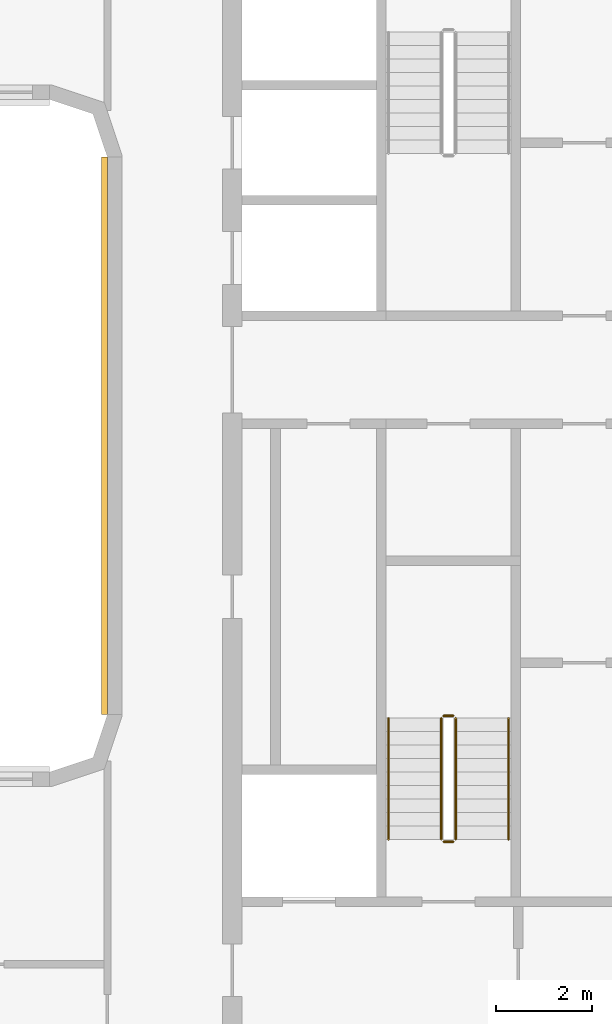
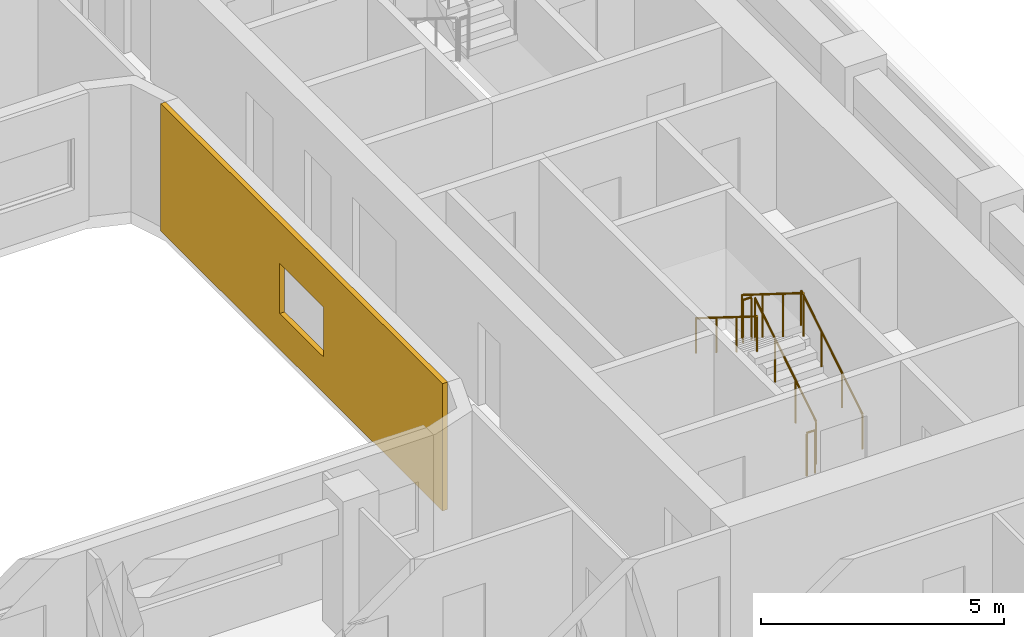
# One storey, part 17 of 22: 6 railings, 1 covering.
"""IFC4 building model written with IfcOpenShell, lengths in metres."""

import ifcopenshell
import ifcopenshell.guid

model = None  # the IFC model being written
_history = None  # IfcOwnerHistory: only IFC2X3 demands one
_inside = {}  # id of a spatial element -> (the spatial element, [elements in it])
_under = {}  # id of a project, library or spatial element -> (it, [spatial elements below it])
_declared = {}  # id of a project -> (the project, [libraries it declares])
_typed = {}  # id of a type object -> (the type object, [elements of that type])
_made_of = {}  # id of a material, layer set ... -> (it, [elements and type objects made of it])


def new_model(schema):
    """Start an empty IFC model of exactly this schema.

    Asked for "IFC4X3", IfcOpenShell would pick the latest addendum, in which some entities
    have other attributes; the version numbers below select the first issue.
    IFC2X3 requires an IfcOwnerHistory on every rooted entity: one is made here for all.
    """
    global model, _history
    if schema == "IFC4X3":
        model = ifcopenshell.file(schema_version=(4, 3, 0, 0))
    else:
        model = ifcopenshell.file(schema=schema)
    _inside.clear()
    _under.clear()
    _declared.clear()
    _typed.clear()
    _made_of.clear()
    _history = None
    if model.schema == "IFC2X3":
        org = make("IfcOrganization", Name="unknown")
        user = make(
            "IfcPersonAndOrganization",
            ThePerson=make("IfcPerson", FamilyName="unknown"),
            TheOrganization=org,
        )
        app = make(
            "IfcApplication",
            ApplicationDeveloper=org,
            Version="unknown",
            ApplicationFullName="unknown",
            ApplicationIdentifier="unknown",
        )
        _history = make(
            "IfcOwnerHistory",
            OwningUser=user,
            OwningApplication=app,
            ChangeAction="ADDED",
            CreationDate=0,
        )
    return model


def make(cls, **values):
    """One entity of the class cls with the attributes given. An attribute that is None is left unset."""
    return model.create_entity(
        cls, **{name: value for name, value in values.items() if value is not None}
    )


def rooted(cls, **values):
    """An entity with a GlobalId (a new one), such as an element, a storey or a relation."""
    return make(cls, GlobalId=ifcopenshell.guid.new(), OwnerHistory=_history, **values)


def si_unit(unit_type, name, prefix=None):
    """IfcSIUnit, for example si_unit("LENGTHUNIT", "METRE", prefix="MILLI")."""
    return make("IfcSIUnit", UnitType=unit_type, Prefix=prefix, Name=name)


def assignment(units):
    """IfcUnitAssignment: the units of a project."""
    return None if units is None else make("IfcUnitAssignment", Units=units)


def point(xyz):
    """IfcCartesianPoint."""
    return None if xyz is None else make("IfcCartesianPoint", Coordinates=xyz)


def direction(xyz):
    """IfcDirection."""
    return None if xyz is None else make("IfcDirection", DirectionRatios=xyz)


def frame(location, z_axis=None, x_axis=None):
    """IfcAxis2Placement3D, a coordinate frame: its origin and axes. An axis left out is left unset."""
    return make(
        "IfcAxis2Placement3D",
        Location=point(location),
        Axis=direction(z_axis),
        RefDirection=direction(x_axis),
    )


def frame_2d(location, x_axis=None):
    """IfcAxis2Placement2D, a coordinate frame in the plane: its origin and x axis."""
    return make(
        "IfcAxis2Placement2D", Location=point(location), RefDirection=direction(x_axis)
    )


def origin():
    """The frame at (0, 0, 0) with its axes left unset."""
    return frame((0.0, 0.0, 0.0))


def origin_2d():
    """The frame at (0, 0) in the plane with its x axis left unset."""
    return frame_2d((0.0, 0.0))


def place(relative_to, where):
    """IfcLocalPlacement: puts the frame where relative to a parent placement (None: the world)."""
    return make(
        "IfcLocalPlacement", PlacementRelTo=relative_to, RelativePlacement=where
    )


def context(
    kind, dimensions, precision=None, world=None, true_north=None, identifier=None
):
    """IfcGeometricRepresentationContext, for example the 3D "Model" context."""
    return make(
        "IfcGeometricRepresentationContext",
        ContextIdentifier=identifier,
        ContextType=kind,
        CoordinateSpaceDimension=dimensions,
        Precision=precision,
        WorldCoordinateSystem=world,
        TrueNorth=true_north,
    )


def subcontext(parent, identifier, kind, view, scale=None):
    """IfcGeometricRepresentationSubContext, for example "Body" below "Model"."""
    return make(
        "IfcGeometricRepresentationSubContext",
        ContextIdentifier=identifier,
        ContextType=kind,
        ParentContext=parent,
        TargetScale=scale,
        TargetView=view,
    )


def project(units=None, contexts=None):
    """IfcProject with its units and contexts."""
    return rooted(
        "IfcProject",
        Name="project",
        RepresentationContexts=contexts,
        UnitsInContext=assignment(units),
    )


def spatial(cls, under=None, at=None, **own):
    """A site, building, storey or space (cls), placed at a placement, below another one or the project."""
    s = rooted(cls, ObjectPlacement=at, **own)
    if under is not None:
        _under.setdefault(under.id(), (under, []))[1].append(s)
    return s


def polyline(points):
    """IfcPolyline through the points."""
    return make("IfcPolyline", Points=[point(p) for p in points])


def profile(cls, at=None, kind="AREA", **sizes):
    """A parametric profile (cls). Its sizes go by their IFC names, for example OverallWidth=200.0."""
    return make(cls, ProfileType=kind, Position=at, **sizes)


def circle(**sizes):
    """IfcCircleProfileDef."""
    return profile("IfcCircleProfileDef", **sizes)


def outline(outer, holes=None, kind="AREA"):
    """IfcArbitraryClosedProfileDef: a profile drawn as a closed curve; with holes, ...WithVoids."""
    if holes is None:
        return make("IfcArbitraryClosedProfileDef", ProfileType=kind, OuterCurve=outer)
    return make(
        "IfcArbitraryProfileDefWithVoids",
        ProfileType=kind,
        OuterCurve=outer,
        InnerCurves=holes,
    )


def extrude(swept, where, along, depth):
    """IfcExtrudedAreaSolid: the profile swept, set in the frame where, extruded along a direction by depth."""
    return make(
        "IfcExtrudedAreaSolid",
        SweptArea=swept,
        Position=where,
        ExtrudedDirection=direction(along),
        Depth=depth,
    )


def shape(context_of_items, identifier, shape_type, items):
    """IfcShapeRepresentation: the items that make up one representation, for example the "Body"."""
    return make(
        "IfcShapeRepresentation",
        ContextOfItems=context_of_items,
        RepresentationIdentifier=identifier,
        RepresentationType=shape_type,
        Items=items,
    )


def material(Name=None, Category=None):
    """IfcMaterial."""
    return make("IfcMaterial", Name=Name, Category=Category)


def layer(
    of_material, thickness, ventilated=None, Name=None, Category=None, Priority=None
):
    """IfcMaterialLayer: one layer of a wall or slab, of a material (None: an air gap)."""
    return make(
        "IfcMaterialLayer",
        Material=of_material,
        LayerThickness=thickness,
        IsVentilated=ventilated,
        Name=Name,
        Category=Category,
        Priority=Priority,
    )


def layer_set(layers, Name=None):
    """IfcMaterialLayerSet."""
    return make("IfcMaterialLayerSet", MaterialLayers=layers, LayerSetName=Name)


def made_of(thing, what):
    """Note that an element or type object is made of a material, layer set ...; save() writes the relation."""
    if what is not None:
        _made_of.setdefault(what.id(), (what, []))[1].append(thing)
    return thing


def type_object(cls, material=None, **own):
    """A type object (cls), such as IfcWallType, which elements share."""
    return made_of(rooted(cls, **own), material)


def element(
    cls,
    number,
    at=None,
    inside=None,
    cuts=None,
    type_object=None,
    material=None,
    context=None,
    identifier="Body",
    shape_type=None,
    held_by="IfcProductDefinitionShape",
    body=None,
    shapes=None,
    **own,
):
    """One element of the class cls, such as IfcWall. Its Tag is "e" and its number.

    at: its placement. inside: the storey or other place that contains it. cuts: it is an
    opening in that element (IfcRelVoidsElement). A single representation is given by context,
    identifier, shape_type and body (its items); several are given by shapes. held_by: the class
    of the entity that holds the representations. save() writes the other relations.
    """
    e = rooted(cls, Tag="e%d" % number, ObjectPlacement=at, **own)
    if body is not None:
        shapes = [shape(context, identifier, shape_type, body)]
    if shapes is not None:
        e.Representation = make(held_by, Representations=shapes)
    if inside is not None:
        _inside.setdefault(inside.id(), (inside, []))[1].append(e)
    if cuts is not None:
        rooted(
            "IfcRelVoidsElement", RelatingBuildingElement=cuts, RelatedOpeningElement=e
        )
    if type_object is not None:
        _typed.setdefault(type_object.id(), (type_object, []))[1].append(e)
    return made_of(e, material)


def aggregate(whole, parts):
    """IfcRelAggregates: a whole, such as a stair, and the parts it consists of."""
    return rooted("IfcRelAggregates", RelatingObject=whole, RelatedObjects=parts)


def save(model, path):
    """Write the relations noted so far, then the file.

    IfcRelAggregates (storeys below a building ...), IfcRelContainedInSpatialStructure (elements
    in a storey), IfcRelDefinesByType, IfcRelAssociatesMaterial and IfcRelDeclares: one each for
    every whole, place, type object, material and project.
    """
    for whole, parts in _under.values():
        aggregate(whole, parts)
    for where, things in _inside.values():
        rooted(
            "IfcRelContainedInSpatialStructure",
            RelatedElements=things,
            RelatingStructure=where,
        )
    for kind, things in _typed.values():
        rooted("IfcRelDefinesByType", RelatedObjects=things, RelatingType=kind)
    for what, things in _made_of.values():
        rooted("IfcRelAssociatesMaterial", RelatedObjects=things, RelatingMaterial=what)
    for by, libraries in _declared.values():
        rooted("IfcRelDeclares", RelatingContext=by, RelatedDefinitions=libraries)
    model.write(path)


model = new_model("IFC4")

# Units and contexts
model_context = context("Model", 3, precision=1e-05, world=origin(), true_north=direction((0.0, 1.0)))
body_context = subcontext(model_context, "Body", "Model", "MODEL_VIEW")
ifc_project = project(units=[si_unit("LENGTHUNIT", "METRE"), si_unit("AREAUNIT", "SQUARE_METRE"), si_unit("VOLUMEUNIT", "CUBIC_METRE"), si_unit("PLANEANGLEUNIT", "RADIAN"), si_unit("MASSUNIT", "GRAM", prefix="KILO")], contexts=[model_context])

# Site, building, storey
site_placement = place(None, origin())
site = spatial("IfcSite", under=ifc_project, at=site_placement, CompositionType="ELEMENT")
building_placement = place(site_placement, origin())
building = spatial("IfcBuilding", under=site, at=building_placement, Name="Kiln Ring Residences", CompositionType="ELEMENT")
storey_placement = place(building_placement, frame((0.0, 0.0, 164.10009765625)))
storey = spatial("IfcBuildingStorey", under=building, at=storey_placement, Name="L42", CompositionType="ELEMENT", Elevation=164.10009765625)

# Railings
ifc_material_1 = material(Name="Stainless steel", Category="steel")
railing_type_1 = type_object("IfcRailingType", Name="CORE-STAIR-GUARD", PredefinedType="GUARDRAIL", material=ifc_material_1)
railing_1_placement = place(storey_placement, frame((22.25, -8.39990234375, 0.1748046875)))
element("IfcRailing", 1, at=railing_1_placement, inside=storey, type_object=railing_type_1, Name="L42 E-STS stair guard 1", PredefinedType="GUARDRAIL", context=body_context, shape_type="SweptSolid", body=[
    extrude(circle(Radius=0.02392578125, at=origin_2d()), frame((0.0, 0.0, 1.076171875), z_axis=(0.0, 0.847970611238, 0.530043245855), x_axis=(-1.0, 0.0, 0.0)), (0.0, 0.0, 1.0), 2.971923828125),
    extrude(circle(Radius=0.02099609375, at=origin_2d()), origin(), (0.0, 0.0, 1.0), 1.052001953125),
    extrude(circle(Radius=0.02099609375, at=origin_2d()), frame((0.0, 0.840087890625, 0.525146484375)), (0.0, 0.0, 1.0), 1.052001953125),
    extrude(circle(Radius=0.02099609375, at=origin_2d()), frame((0.0, 1.679931640625, 1.050048828125)), (0.0, 0.0, 1.0), 1.052001953125),
    extrude(circle(Radius=0.02099609375, at=origin_2d()), frame((0.0, 2.52001953125, 1.5751953125)), (0.0, 0.0, 1.0), 1.052001953125),
])
railing_2_placement = place(storey_placement, frame((22.199951171875, -5.830078125, 1.75)))
element("IfcRailing", 2, at=railing_2_placement, inside=storey, type_object=railing_type_1, Name="L42 E-STS stair guard 2", PredefinedType="GUARDRAIL", context=body_context, shape_type="SweptSolid", body=[
    extrude(circle(Radius=0.02392578125, at=origin_2d()), frame((0.0, 0.0, 1.076171875), z_axis=(-1.0, 0.0, 0.0), x_axis=(0.0, -1.0, 0.0)), (0.0, 0.0, 1.0), 0.199951171875),
    extrude(circle(Radius=0.02099609375, at=origin_2d()), origin(), (0.0, 0.0, 1.0), 1.052001953125),
    extrude(circle(Radius=0.02099609375, at=origin_2d()), frame((-0.199951171875, 0.0, 0.0)), (0.0, 0.0, 1.0), 1.052001953125),
])
railing_3_placement = place(storey_placement, frame((21.949951171875, -5.8798828125, 1.9248046875)))
element("IfcRailing", 3, at=railing_3_placement, inside=storey, type_object=railing_type_1, Name="L42 E-STS stair guard 3", PredefinedType="GUARDRAIL", context=body_context, shape_type="SweptSolid", body=[
    extrude(circle(Radius=0.02392578125, at=origin_2d()), frame((0.0, 0.0, 1.076171875), z_axis=(0.0, -0.847970611238, 0.530043245855), x_axis=(1.0, 0.0, 0.0)), (0.0, 0.0, 1.0), 2.971923828125),
    extrude(circle(Radius=0.02099609375, at=origin_2d()), origin(), (0.0, 0.0, 1.0), 1.052001953125),
    extrude(circle(Radius=0.02099609375, at=origin_2d()), frame((0.0, -0.840087890625, 0.525146484375)), (0.0, 0.0, 1.0), 1.052001953125),
    extrude(circle(Radius=0.02099609375, at=origin_2d()), frame((0.0, -1.679931640625, 1.050048828125)), (0.0, 0.0, 1.0), 1.052001953125),
    extrude(circle(Radius=0.02099609375, at=origin_2d()), frame((0.0, -2.52001953125, 1.5751953125)), (0.0, 0.0, 1.0), 1.052001953125),
])
railing_4_placement = place(storey_placement, frame((22.199951171875, -8.449951171875, 0.0)))
element("IfcRailing", 4, at=railing_4_placement, inside=storey, type_object=railing_type_1, Name="L42 E-STS stair guard 4", PredefinedType="GUARDRAIL", context=body_context, shape_type="SweptSolid", body=[
    extrude(circle(Radius=0.02392578125, at=origin_2d()), frame((0.0, 0.0, 1.076171875), z_axis=(-1.0, 0.0, 0.0), x_axis=(0.0, -1.0, 0.0)), (0.0, 0.0, 1.0), 0.199951171875),
    extrude(circle(Radius=0.02099609375, at=origin_2d()), origin(), (0.0, 0.0, 1.0), 1.052001953125),
    extrude(circle(Radius=0.02099609375, at=origin_2d()), frame((-0.199951171875, 0.0, 0.0)), (0.0, 0.0, 1.0), 1.052001953125),
])
ifc_material_2 = material(Name="Stainless steel", Category="steel")
railing_type_2 = type_object("IfcRailingType", Name="CORE-STAIR-HANDRAIL", PredefinedType="HANDRAIL", material=ifc_material_2)
railing_5_placement = place(storey_placement, frame((23.35009765625, -8.39990234375, 0.1748046875)))
element("IfcRailing", 5, at=railing_5_placement, inside=storey, type_object=railing_type_2, Name="L42 E-STS stair handrail 1", PredefinedType="HANDRAIL", context=body_context, shape_type="SweptSolid", body=[
    extrude(circle(Radius=0.02392578125, at=origin_2d()), frame((0.0, 0.0, 0.8759765625), z_axis=(0.0, 0.847970611238, 0.530043245855), x_axis=(-1.0, 0.0, 0.0)), (0.0, 0.0, 1.0), 2.971923828125),
    extrude(circle(Radius=0.02099609375, at=origin_2d()), origin(), (0.0, 0.0, 1.0), 0.851806640625),
    extrude(circle(Radius=0.02099609375, at=origin_2d()), frame((0.0, 0.840087890625, 0.525146484375)), (0.0, 0.0, 1.0), 0.851806640625),
    extrude(circle(Radius=0.02099609375, at=origin_2d()), frame((0.0, 1.679931640625, 1.050048828125)), (0.0, 0.0, 1.0), 0.851806640625),
    extrude(circle(Radius=0.02099609375, at=origin_2d()), frame((0.0, 2.52001953125, 1.5751953125)), (0.0, 0.0, 1.0), 0.851806640625),
])
railing_6_placement = place(storey_placement, frame((20.85009765625, -5.8798828125, 1.9248046875)))
element("IfcRailing", 6, at=railing_6_placement, inside=storey, type_object=railing_type_2, Name="L42 E-STS stair handrail 2", PredefinedType="HANDRAIL", context=body_context, shape_type="SweptSolid", body=[
    extrude(circle(Radius=0.02392578125, at=origin_2d()), frame((0.0, 0.0, 0.8759765625), z_axis=(0.0, -0.847970611238, 0.530043245855), x_axis=(1.0, 0.0, 0.0)), (0.0, 0.0, 1.0), 2.971923828125),
    extrude(circle(Radius=0.02099609375, at=origin_2d()), origin(), (0.0, 0.0, 1.0), 0.851806640625),
    extrude(circle(Radius=0.02099609375, at=origin_2d()), frame((0.0, -0.840087890625, 0.525146484375)), (0.0, 0.0, 1.0), 0.851806640625),
    extrude(circle(Radius=0.02099609375, at=origin_2d()), frame((0.0, -1.679931640625, 1.050048828125)), (0.0, 0.0, 1.0), 0.851806640625),
    extrude(circle(Radius=0.02099609375, at=origin_2d()), frame((0.0, -2.52001953125, 1.5751953125)), (0.0, 0.0, 1.0), 0.851806640625),
])

# Covering
ifc_material_3 = material(Name="Brick masonry, dark clay brick", Category="masonry")
ifc_layer = layer(ifc_material_3, 0.1201171875)
ifc_layer_set = layer_set([ifc_layer], Name="RAINSCREEN PANEL 120")
covering_type = type_object("IfcCoveringType", Name="RAINSCREEN PANEL 120", PredefinedType="CLADDING", material=ifc_layer_set)
covering_placement = place(storey_placement, frame((14.93994140625, 5.800048828125, 0.0), z_axis=(0.0, 0.0, 1.0), x_axis=(0.0, -1.0, 0.0)))
element("IfcCovering", 7, at=covering_placement, inside=storey, type_object=covering_type, Name="RAINSCREEN L42", PredefinedType="CLADDING", context=body_context, shape_type="SweptSolid", body=[
    extrude(outline(polyline([(0.0, 0.0), (11.60009765625, 0.0), (11.60009765625, 3.199951171875), (0.0, 3.199951171875), (0.0, 0.0)]), holes=[polyline([(4.89990234375, 2.14990234375), (4.89990234375, 0.89990234375), (6.699951171875, 0.89990234375), (6.699951171875, 2.14990234375), (4.89990234375, 2.14990234375)])]), frame((0.0, 0.06005859375, 0.0), z_axis=(0.0, -1.0, 0.0), x_axis=(1.0, 0.0, 0.0)), (0.0, 0.0, 1.0), 0.1201171875),
])

save(model, "model.ifc")
